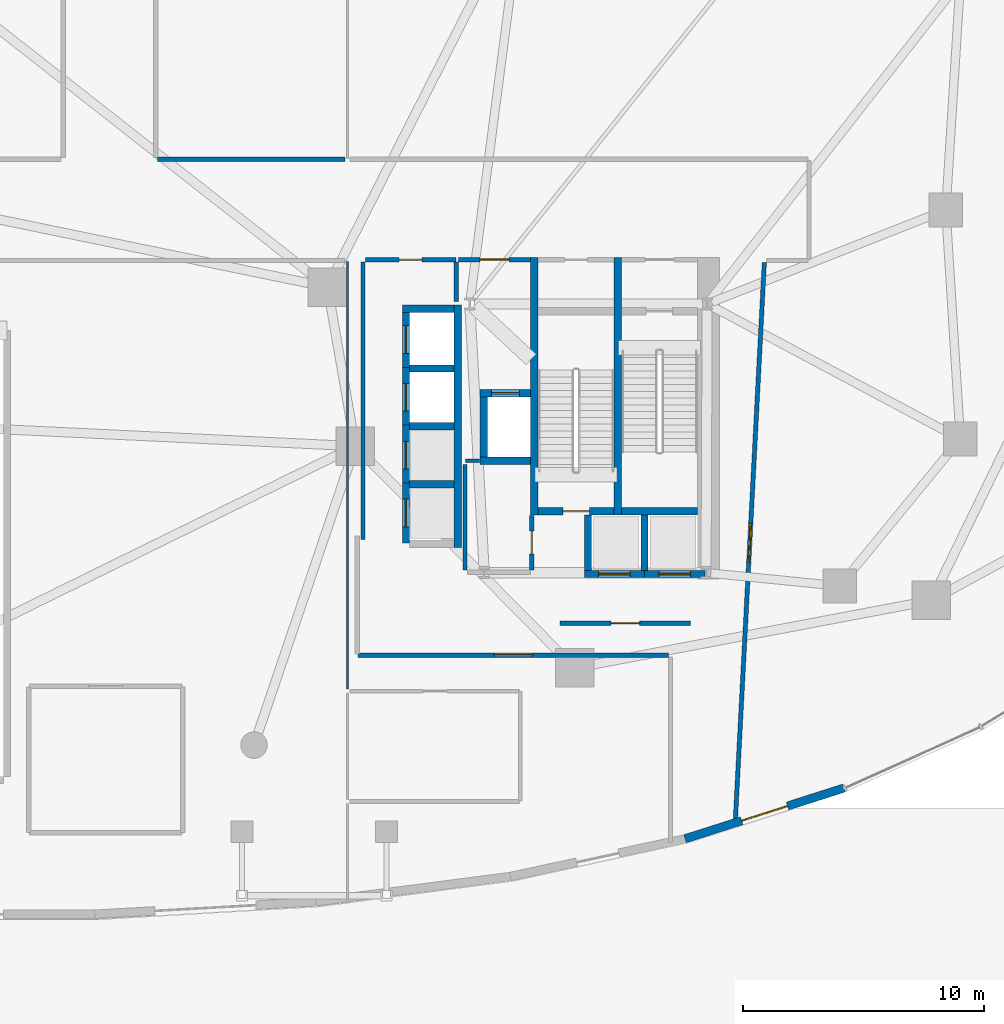
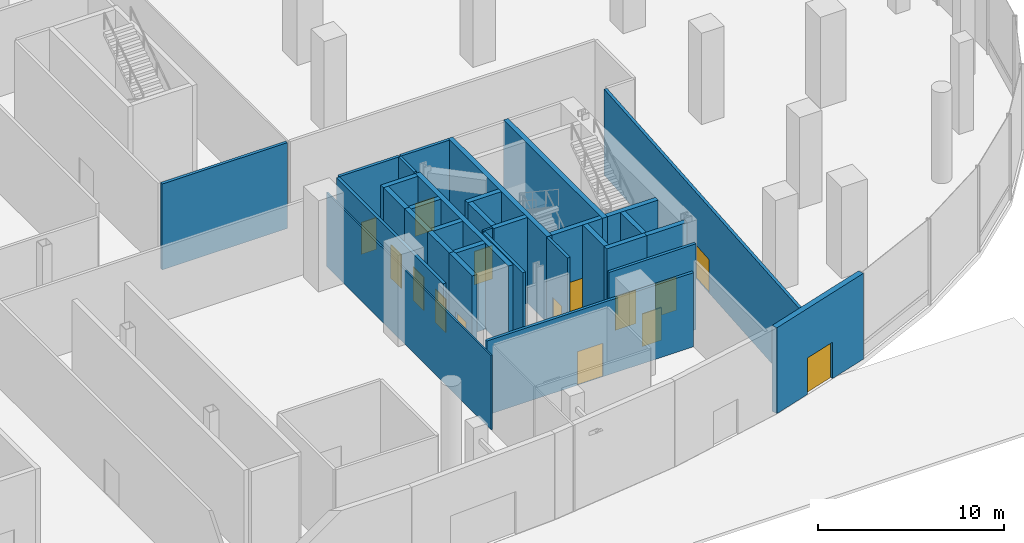
# One storey, part 15 of 20: 33 walls, 15 doors, 15 openings.
"""IFC4 building model written with IfcOpenShell, lengths in metres."""

import ifcopenshell
import ifcopenshell.guid

model = None  # the IFC model being written
_history = None  # IfcOwnerHistory: only IFC2X3 demands one
_inside = {}  # id of a spatial element -> (the spatial element, [elements in it])
_under = {}  # id of a project, library or spatial element -> (it, [spatial elements below it])
_declared = {}  # id of a project -> (the project, [libraries it declares])
_typed = {}  # id of a type object -> (the type object, [elements of that type])
_made_of = {}  # id of a material, layer set ... -> (it, [elements and type objects made of it])


def new_model(schema):
    """Start an empty IFC model of exactly this schema.

    Asked for "IFC4X3", IfcOpenShell would pick the latest addendum, in which some entities
    have other attributes; the version numbers below select the first issue.
    IFC2X3 requires an IfcOwnerHistory on every rooted entity: one is made here for all.
    """
    global model, _history
    if schema == "IFC4X3":
        model = ifcopenshell.file(schema_version=(4, 3, 0, 0))
    else:
        model = ifcopenshell.file(schema=schema)
    _inside.clear()
    _under.clear()
    _declared.clear()
    _typed.clear()
    _made_of.clear()
    _history = None
    if model.schema == "IFC2X3":
        org = make("IfcOrganization", Name="unknown")
        user = make(
            "IfcPersonAndOrganization",
            ThePerson=make("IfcPerson", FamilyName="unknown"),
            TheOrganization=org,
        )
        app = make(
            "IfcApplication",
            ApplicationDeveloper=org,
            Version="unknown",
            ApplicationFullName="unknown",
            ApplicationIdentifier="unknown",
        )
        _history = make(
            "IfcOwnerHistory",
            OwningUser=user,
            OwningApplication=app,
            ChangeAction="ADDED",
            CreationDate=0,
        )
    return model


def make(cls, **values):
    """One entity of the class cls with the attributes given. An attribute that is None is left unset."""
    return model.create_entity(
        cls, **{name: value for name, value in values.items() if value is not None}
    )


def rooted(cls, **values):
    """An entity with a GlobalId (a new one), such as an element, a storey or a relation."""
    return make(cls, GlobalId=ifcopenshell.guid.new(), OwnerHistory=_history, **values)


def si_unit(unit_type, name, prefix=None):
    """IfcSIUnit, for example si_unit("LENGTHUNIT", "METRE", prefix="MILLI")."""
    return make("IfcSIUnit", UnitType=unit_type, Prefix=prefix, Name=name)


def assignment(units):
    """IfcUnitAssignment: the units of a project."""
    return None if units is None else make("IfcUnitAssignment", Units=units)


def point(xyz):
    """IfcCartesianPoint."""
    return None if xyz is None else make("IfcCartesianPoint", Coordinates=xyz)


def direction(xyz):
    """IfcDirection."""
    return None if xyz is None else make("IfcDirection", DirectionRatios=xyz)


def frame(location, z_axis=None, x_axis=None):
    """IfcAxis2Placement3D, a coordinate frame: its origin and axes. An axis left out is left unset."""
    return make(
        "IfcAxis2Placement3D",
        Location=point(location),
        Axis=direction(z_axis),
        RefDirection=direction(x_axis),
    )


def frame_2d(location, x_axis=None):
    """IfcAxis2Placement2D, a coordinate frame in the plane: its origin and x axis."""
    return make(
        "IfcAxis2Placement2D", Location=point(location), RefDirection=direction(x_axis)
    )


def origin():
    """The frame at (0, 0, 0) with its axes left unset."""
    return frame((0.0, 0.0, 0.0))


def place(relative_to, where):
    """IfcLocalPlacement: puts the frame where relative to a parent placement (None: the world)."""
    return make(
        "IfcLocalPlacement", PlacementRelTo=relative_to, RelativePlacement=where
    )


def context(
    kind, dimensions, precision=None, world=None, true_north=None, identifier=None
):
    """IfcGeometricRepresentationContext, for example the 3D "Model" context."""
    return make(
        "IfcGeometricRepresentationContext",
        ContextIdentifier=identifier,
        ContextType=kind,
        CoordinateSpaceDimension=dimensions,
        Precision=precision,
        WorldCoordinateSystem=world,
        TrueNorth=true_north,
    )


def subcontext(parent, identifier, kind, view, scale=None):
    """IfcGeometricRepresentationSubContext, for example "Body" below "Model"."""
    return make(
        "IfcGeometricRepresentationSubContext",
        ContextIdentifier=identifier,
        ContextType=kind,
        ParentContext=parent,
        TargetScale=scale,
        TargetView=view,
    )


def project(units=None, contexts=None):
    """IfcProject with its units and contexts."""
    return rooted(
        "IfcProject",
        Name="project",
        RepresentationContexts=contexts,
        UnitsInContext=assignment(units),
    )


def spatial(cls, under=None, at=None, **own):
    """A site, building, storey or space (cls), placed at a placement, below another one or the project."""
    s = rooted(cls, ObjectPlacement=at, **own)
    if under is not None:
        _under.setdefault(under.id(), (under, []))[1].append(s)
    return s


def profile(cls, at=None, kind="AREA", **sizes):
    """A parametric profile (cls). Its sizes go by their IFC names, for example OverallWidth=200.0."""
    return make(cls, ProfileType=kind, Position=at, **sizes)


def rectangle(**sizes):
    """IfcRectangleProfileDef."""
    return profile("IfcRectangleProfileDef", **sizes)


def extrude(swept, where, along, depth):
    """IfcExtrudedAreaSolid: the profile swept, set in the frame where, extruded along a direction by depth."""
    return make(
        "IfcExtrudedAreaSolid",
        SweptArea=swept,
        Position=where,
        ExtrudedDirection=direction(along),
        Depth=depth,
    )


def shape(context_of_items, identifier, shape_type, items):
    """IfcShapeRepresentation: the items that make up one representation, for example the "Body"."""
    return make(
        "IfcShapeRepresentation",
        ContextOfItems=context_of_items,
        RepresentationIdentifier=identifier,
        RepresentationType=shape_type,
        Items=items,
    )


def material(Name=None, Category=None):
    """IfcMaterial."""
    return make("IfcMaterial", Name=Name, Category=Category)


def layer(
    of_material, thickness, ventilated=None, Name=None, Category=None, Priority=None
):
    """IfcMaterialLayer: one layer of a wall or slab, of a material (None: an air gap)."""
    return make(
        "IfcMaterialLayer",
        Material=of_material,
        LayerThickness=thickness,
        IsVentilated=ventilated,
        Name=Name,
        Category=Category,
        Priority=Priority,
    )


def layer_set(layers, Name=None):
    """IfcMaterialLayerSet."""
    return make("IfcMaterialLayerSet", MaterialLayers=layers, LayerSetName=Name)


def made_of(thing, what):
    """Note that an element or type object is made of a material, layer set ...; save() writes the relation."""
    if what is not None:
        _made_of.setdefault(what.id(), (what, []))[1].append(thing)
    return thing


def type_object(cls, material=None, **own):
    """A type object (cls), such as IfcWallType, which elements share."""
    return made_of(rooted(cls, **own), material)


def element(
    cls,
    number,
    at=None,
    inside=None,
    cuts=None,
    type_object=None,
    material=None,
    context=None,
    identifier="Body",
    shape_type=None,
    held_by="IfcProductDefinitionShape",
    body=None,
    shapes=None,
    **own,
):
    """One element of the class cls, such as IfcWall. Its Tag is "e" and its number.

    at: its placement. inside: the storey or other place that contains it. cuts: it is an
    opening in that element (IfcRelVoidsElement). A single representation is given by context,
    identifier, shape_type and body (its items); several are given by shapes. held_by: the class
    of the entity that holds the representations. save() writes the other relations.
    """
    e = rooted(cls, Tag="e%d" % number, ObjectPlacement=at, **own)
    if body is not None:
        shapes = [shape(context, identifier, shape_type, body)]
    if shapes is not None:
        e.Representation = make(held_by, Representations=shapes)
    if inside is not None:
        _inside.setdefault(inside.id(), (inside, []))[1].append(e)
    if cuts is not None:
        rooted(
            "IfcRelVoidsElement", RelatingBuildingElement=cuts, RelatedOpeningElement=e
        )
    if type_object is not None:
        _typed.setdefault(type_object.id(), (type_object, []))[1].append(e)
    return made_of(e, material)


def fill(opening, filler):
    """IfcRelFillsElement: the door or window that sits in an opening."""
    return rooted(
        "IfcRelFillsElement",
        RelatingOpeningElement=opening,
        RelatedBuildingElement=filler,
    )


def aggregate(whole, parts):
    """IfcRelAggregates: a whole, such as a stair, and the parts it consists of."""
    return rooted("IfcRelAggregates", RelatingObject=whole, RelatedObjects=parts)


def save(model, path):
    """Write the relations noted so far, then the file.

    IfcRelAggregates (storeys below a building ...), IfcRelContainedInSpatialStructure (elements
    in a storey), IfcRelDefinesByType, IfcRelAssociatesMaterial and IfcRelDeclares: one each for
    every whole, place, type object, material and project.
    """
    for whole, parts in _under.values():
        aggregate(whole, parts)
    for where, things in _inside.values():
        rooted(
            "IfcRelContainedInSpatialStructure",
            RelatedElements=things,
            RelatingStructure=where,
        )
    for kind, things in _typed.values():
        rooted("IfcRelDefinesByType", RelatedObjects=things, RelatingType=kind)
    for what, things in _made_of.values():
        rooted("IfcRelAssociatesMaterial", RelatedObjects=things, RelatingMaterial=what)
    for by, libraries in _declared.values():
        rooted("IfcRelDeclares", RelatingContext=by, RelatedDefinitions=libraries)
    model.write(path)


model = new_model("IFC4")

# Units and contexts
model_context = context("Model", 3, precision=1e-05, world=origin(), true_north=direction((0.0, 1.0)))
body_context = subcontext(model_context, "Body", "Model", "MODEL_VIEW")
ifc_project = project(units=[si_unit("LENGTHUNIT", "METRE"), si_unit("AREAUNIT", "SQUARE_METRE"), si_unit("VOLUMEUNIT", "CUBIC_METRE"), si_unit("PLANEANGLEUNIT", "RADIAN"), si_unit("MASSUNIT", "GRAM", prefix="KILO"), si_unit("THERMODYNAMICTEMPERATUREUNIT", "KELVIN"), si_unit("POWERUNIT", "WATT")], contexts=[model_context])

# Site, building, storey
site_placement = place(None, origin())
site = spatial("IfcSite", under=ifc_project, at=site_placement, CompositionType="ELEMENT")
building_placement = place(site_placement, origin())
building = spatial("IfcBuilding", under=site, at=building_placement, Name="Cundina Bronze Exchange", CompositionType="ELEMENT")
storey_placement = place(building_placement, origin())
storey = spatial("IfcBuildingStorey", under=building, at=storey_placement, Name="L00", CompositionType="ELEMENT", Elevation=0.0)

# Wall
ifc_material_1 = material(Name="Gypsum Fireboard Partition EI120")
ifc_layer_1 = layer(ifc_material_1, 0.179931640625, Name="Gypsum Fireboard Partition EI120")
ifc_layer_set_1 = layer_set([ifc_layer_1], Name="Gypsum Fireboard Partition EI120")
wall_type_1 = type_object("IfcWallType", Name="WL-COR-180", PredefinedType="PARTITIONING", material=ifc_layer_set_1)
wall_1_placement = place(storey_placement, frame((20.889892578125, -3.800048828125, 0.0), z_axis=(0.0, 0.0, 1.0), x_axis=(0.0, 1.0, 0.0)))
element("IfcWall", 1, at=wall_1_placement, inside=storey, type_object=wall_type_1, Name="L00 E Firefighting Lobby Side Wall", PredefinedType="PARTITIONING", context=body_context, shape_type="SweptSolid", body=[
    extrude(rectangle(XDim=1.650146484375, YDim=0.179931640625, at=frame_2d((0.8251953125, 0.0))), origin(), (0.0, 0.0, 1.0), 5.64990234375),
])

# Wall, opening, door
wall_2_placement = place(storey_placement, frame((20.97998046875, -2.06005859375, 0.0), z_axis=(0.0, 0.0, 1.0), x_axis=(1.0, 0.0, 0.0)))
wall_2 = element("IfcWall", 2, at=wall_2_placement, inside=storey, type_object=wall_type_1, Name="L00 E Firefighting Lobby Exit Wall", PredefinedType="PARTITIONING", context=body_context, shape_type="SweptSolid", body=[
    extrude(rectangle(XDim=3.0, YDim=0.179931640625, at=frame_2d((1.5, 0.0))), origin(), (0.0, 0.0, 1.0), 5.64990234375),
])
opening_1_placement = place(wall_2_placement, frame((0.89990234375, 0.0, 0.0)))
opening_1 = element("IfcOpeningElement", 3, at=opening_1_placement, cuts=wall_2, Name="Opening DF-01", PredefinedType="OPENING", context=body_context, shape_type="SweptSolid", body=[
    extrude(rectangle(XDim=1.199951171875, YDim=2.14990234375, at=frame_2d((0.60009765625, 1.074951171875))), frame((0.0, 0.099853515625, 0.0), z_axis=(0.0, -1.0, 0.0), x_axis=(1.0, 0.0, 0.0)), (0.0, 0.0, 1.0), 0.199951171875),
])
ifc_material_2 = material(Name="Steel ASTM A36 Painted", Category="steel")
door_type_1 = type_object("IfcDoorType", Name="DR-FFL-1200", OperationType="NOTDEFINED", PredefinedType="DOOR", material=ifc_material_2)
door_1_placement = place(opening_1_placement, origin())
door_1 = element("IfcDoor", 4, at=door_1_placement, inside=storey, type_object=door_type_1, Name="L00 E Firefighting Lobby Door", OperationType="SINGLE_SWING_LEFT", OverallHeight=2.14990234375, OverallWidth=1.199951171875, PredefinedType="DOOR", context=body_context, shape_type="SweptSolid", body=[
    extrude(rectangle(XDim=1.199951171875, YDim=2.14990234375, at=frame_2d((0.60009765625, 1.074951171875))), frame((0.0, 0.02490234375, 0.0), z_axis=(0.0, -1.0, 0.0), x_axis=(1.0, 0.0, 0.0)), (0.0, 0.0, 1.0), 0.050048828125),
])
fill(opening_1, door_1)

wall_3_placement = place(storey_placement, frame((25.199951171875, -17.139892578125, 0.0), z_axis=(0.0, 0.0, 1.0), x_axis=(1.0, 0.0, 0.0)))
wall_3 = element("IfcWall", 5, at=wall_3_placement, inside=storey, type_object=wall_type_1, Name="L00 E Stair 2 Protected Vestibule Exit Wall", PredefinedType="PARTITIONING", context=body_context, shape_type="SweptSolid", body=[
    extrude(rectangle(XDim=5.400146484375, YDim=0.179931640625, at=frame_2d((2.7001953125, 0.0))), origin(), (0.0, 0.0, 1.0), 5.64990234375),
])
opening_2_placement = place(wall_3_placement, frame((2.10009765625, 0.0, 0.0)))
opening_2 = element("IfcOpeningElement", 6, at=opening_2_placement, cuts=wall_3, Name="Opening DF-01", PredefinedType="OPENING", context=body_context, shape_type="SweptSolid", body=[
    extrude(rectangle(XDim=1.199951171875, YDim=2.14990234375, at=frame_2d((0.60009765625, 1.074951171875))), frame((0.0, 0.099853515625, 0.0), z_axis=(0.0, -1.0, 0.0), x_axis=(1.0, 0.0, 0.0)), (0.0, 0.0, 1.0), 0.199951171875),
])
door_2_placement = place(opening_2_placement, origin())
door_2 = element("IfcDoor", 7, at=door_2_placement, inside=storey, type_object=door_type_1, Name="L00 E Stair 2 Vestibule Exit Door", OperationType="SINGLE_SWING_RIGHT", OverallHeight=2.14990234375, OverallWidth=1.199951171875, PredefinedType="DOOR", context=body_context, shape_type="SweptSolid", body=[
    extrude(rectangle(XDim=1.199951171875, YDim=2.14990234375, at=frame_2d((0.60009765625, 1.074951171875))), frame((0.0, 0.02490234375, 0.0), z_axis=(0.0, -1.0, 0.0), x_axis=(1.0, 0.0, 0.0)), (0.0, 0.0, 1.0), 0.050048828125),
])
fill(opening_2, door_2)

# Wall
wall_4_placement = place(storey_placement, frame((17.02001953125, -13.679931640625, 0.0), z_axis=(0.0, 0.0, 1.0), x_axis=(0.0, 1.0, 0.0)))
element("IfcWall", 8, at=wall_4_placement, inside=storey, type_object=wall_type_1, Name="L00 Interior Partition 008", PredefinedType="PARTITIONING", context=body_context, shape_type="SweptSolid", body=[
    extrude(rectangle(XDim=11.510009765625, YDim=0.179931640625, at=frame_2d((5.7548828125, 0.0))), origin(), (0.0, 0.0, 1.0), 5.64990234375),
])

# Wall, opening, door
wall_5_placement = place(storey_placement, frame((17.1201171875, -2.070068359375, 0.0), z_axis=(0.0, 0.0, 1.0), x_axis=(1.0, 0.0, 0.0)))
wall_5 = element("IfcWall", 9, at=wall_5_placement, inside=storey, type_object=wall_type_1, Name="L00 Interior Partition 009", PredefinedType="PARTITIONING", context=body_context, shape_type="SweptSolid", body=[
    extrude(rectangle(XDim=3.75, YDim=0.179931640625, at=frame_2d((1.875, 0.0))), origin(), (0.0, 0.0, 1.0), 5.64990234375),
])
opening_3_placement = place(wall_5_placement, frame((1.39990234375, 0.0, 0.0)))
opening_3 = element("IfcOpeningElement", 10, at=opening_3_placement, cuts=wall_5, Name="Opening DW-01", PredefinedType="OPENING", context=body_context, shape_type="SweptSolid", body=[
    extrude(rectangle(XDim=0.949951171875, YDim=2.10009765625, at=frame_2d((0.47509765625, 1.050048828125))), frame((0.0, 0.099853515625, 0.0), z_axis=(0.0, -1.0, 0.0), x_axis=(1.0, 0.0, 0.0)), (0.0, 0.0, 1.0), 0.199951171875),
])
ifc_material_3 = material(Name="Solid Andean Oak Timber Grade A", Category="wood")
door_type_2 = type_object("IfcDoorType", Name="DR-WC-950", OperationType="NOTDEFINED", PredefinedType="DOOR", material=ifc_material_3)
door_3_placement = place(opening_3_placement, origin())
door_3 = element("IfcDoor", 11, at=door_3_placement, inside=storey, type_object=door_type_2, Name="L00 Interior Door 009", OperationType="SINGLE_SWING_RIGHT", OverallHeight=2.10009765625, OverallWidth=0.949951171875, PredefinedType="DOOR", context=body_context, shape_type="SweptSolid", body=[
    extrude(rectangle(XDim=0.949951171875, YDim=2.10009765625, at=frame_2d((0.47509765625, 1.050048828125))), frame((0.0, 0.02490234375, 0.0), z_axis=(0.0, -1.0, 0.0), x_axis=(1.0, 0.0, 0.0)), (0.0, 0.0, 1.0), 0.050048828125),
])
fill(opening_3, door_3)

# Wall
wall_6_placement = place(storey_placement, frame((21.25, -14.929931640625, 0.0), z_axis=(0.0, 0.0, 1.0), x_axis=(0.0, 1.0, 0.0)))
element("IfcWall", 12, at=wall_6_placement, inside=storey, type_object=wall_type_1, Name="L00 Interior Partition 011", PredefinedType="PARTITIONING", context=body_context, shape_type="SweptSolid", body=[
    extrude(rectangle(XDim=4.35986328125, YDim=0.179931640625, at=frame_2d((2.179931640625, 0.0))), origin(), (0.0, 0.0, 1.0), 5.64990234375),
])

# Wall, opening, door
wall_7_placement = place(storey_placement, frame((24.02001953125, -14.929931640625, 0.0), z_axis=(0.0, 0.0, 1.0), x_axis=(0.0, 1.0, 0.0)))
wall_7 = element("IfcWall", 13, at=wall_7_placement, inside=storey, type_object=wall_type_1, Name="L00 Interior Partition 014", PredefinedType="PARTITIONING", context=body_context, shape_type="SweptSolid", body=[
    extrude(rectangle(XDim=2.260009765625, YDim=0.179931640625, at=frame_2d((1.1298828125, 0.0))), origin(), (0.0, 0.0, 1.0), 5.64990234375),
])
opening_4_placement = place(wall_7_placement, frame((0.655029296875, 0.0, 0.0)))
opening_4 = element("IfcOpeningElement", 14, at=opening_4_placement, cuts=wall_7, Name="Opening DW-01", PredefinedType="OPENING", context=body_context, shape_type="SweptSolid", body=[
    extrude(rectangle(XDim=0.949951171875, YDim=2.10009765625, at=frame_2d((0.47509765625, 1.050048828125))), frame((0.0, 0.099853515625, 0.0), z_axis=(0.0, -1.0, 0.0), x_axis=(1.0, 0.0, 0.0)), (0.0, 0.0, 1.0), 0.199951171875),
])
door_4_placement = place(opening_4_placement, origin())
door_4 = element("IfcDoor", 15, at=door_4_placement, inside=storey, type_object=door_type_2, Name="L00 Interior Door 014", OperationType="SINGLE_SWING_RIGHT", OverallHeight=2.10009765625, OverallWidth=0.949951171875, PredefinedType="DOOR", context=body_context, shape_type="SweptSolid", body=[
    extrude(rectangle(XDim=0.949951171875, YDim=2.10009765625, at=frame_2d((0.47509765625, 1.050048828125))), frame((0.0, 0.02490234375, 0.0), z_axis=(0.0, -1.0, 0.0), x_axis=(1.0, 0.0, 0.0)), (0.0, 0.0, 1.0), 0.050048828125),
])
fill(opening_4, door_4)

# Wall
wall_8_placement = place(storey_placement, frame((16.280029296875, 2.10009765625, 0.0), z_axis=(0.0, 0.0, 1.0), x_axis=(-1.0, 0.0, 0.0)))
element("IfcWall", 16, at=wall_8_placement, inside=storey, type_object=wall_type_1, Name="L00 Interior Partition 035", PredefinedType="PARTITIONING", context=body_context, shape_type="SweptSolid", body=[
    extrude(rectangle(XDim=7.780029296875, YDim=0.179931640625, at=frame_2d((3.89013671875, 0.0))), origin(), (0.0, 0.0, 1.0), 5.64990234375),
])

# Wall, opening, door
wall_9_placement = place(storey_placement, frame((32.4619140625, -25.42529296875, 0.0), z_axis=(0.0, 0.0, 1.0), x_axis=(0.051897662256, 0.998652408325, 0.0)))
wall_9 = element("IfcWall", 17, at=wall_9_placement, inside=storey, type_object=wall_type_1, Name="L00 Interior Partition 049", PredefinedType="PARTITIONING", context=body_context, shape_type="SweptSolid", body=[
    extrude(rectangle(XDim=23.276611328125, YDim=0.179931640625, at=frame_2d((11.63818359375, 0.0))), origin(), (0.0, 0.0, 1.0), 5.64990234375),
])
opening_5_placement = place(wall_9_placement, frame((10.83837890625, 0.0, 0.0)))
opening_5 = element("IfcOpeningElement", 18, at=opening_5_placement, cuts=wall_9, Name="Opening DO-02", PredefinedType="OPENING", context=body_context, shape_type="SweptSolid", body=[
    extrude(rectangle(XDim=1.60009765625, YDim=2.199951171875, at=frame_2d((0.800048828125, 1.10009765625))), frame((0.0, 0.099853515625, 0.0), z_axis=(0.0, -1.0, 0.0), x_axis=(1.0, 0.0, 0.0)), (0.0, 0.0, 1.0), 0.199951171875),
])
door_type_3 = type_object("IfcDoorType", Name="DR-TRD-1600", OperationType="NOTDEFINED", PredefinedType="DOOR", material=ifc_material_3)
door_5_placement = place(opening_5_placement, origin())
door_5 = element("IfcDoor", 19, at=door_5_placement, inside=storey, type_object=door_type_3, Name="L00 Interior Door 049", OperationType="SINGLE_SWING_LEFT", OverallHeight=2.199951171875, OverallWidth=1.60009765625, PredefinedType="DOOR", context=body_context, shape_type="SweptSolid", body=[
    extrude(rectangle(XDim=1.60009765625, YDim=2.199951171875, at=frame_2d((0.800048828125, 1.10009765625))), frame((0.0, 0.02490234375, 0.0), z_axis=(0.0, -1.0, 0.0), x_axis=(1.0, 0.0, 0.0)), (0.0, 0.0, 1.0), 0.050048828125),
])
fill(opening_5, door_5)

wall_10_placement = place(storey_placement, frame((16.821533203125, -18.469970703125, 0.0), z_axis=(0.0, 0.0, 1.0), x_axis=(1.0, 0.0, 0.0)))
wall_10 = element("IfcWall", 20, at=wall_10_placement, inside=storey, type_object=wall_type_1, Name="L00 Interior Partition 053", PredefinedType="PARTITIONING", context=body_context, shape_type="SweptSolid", body=[
    extrude(rectangle(XDim=12.87841796875, YDim=0.179931640625, at=frame_2d((6.439208984375, 0.0))), origin(), (0.0, 0.0, 1.0), 4.876953125),
])
opening_6_placement = place(wall_10_placement, frame((5.63916015625, 0.0, 0.0)))
opening_6 = element("IfcOpeningElement", 21, at=opening_6_placement, cuts=wall_10, Name="Opening DO-02", PredefinedType="OPENING", context=body_context, shape_type="SweptSolid", body=[
    extrude(rectangle(XDim=1.60009765625, YDim=2.199951171875, at=frame_2d((0.800048828125, 1.10009765625))), frame((0.0, 0.099853515625, 0.0), z_axis=(0.0, -1.0, 0.0), x_axis=(1.0, 0.0, 0.0)), (0.0, 0.0, 1.0), 0.199951171875),
])
door_6_placement = place(opening_6_placement, origin())
door_6 = element("IfcDoor", 22, at=door_6_placement, inside=storey, type_object=door_type_3, Name="L00 Interior Door 053", OperationType="SINGLE_SWING_RIGHT", OverallHeight=2.199951171875, OverallWidth=1.60009765625, PredefinedType="DOOR", context=body_context, shape_type="SweptSolid", body=[
    extrude(rectangle(XDim=1.60009765625, YDim=2.199951171875, at=frame_2d((0.800048828125, 1.10009765625))), frame((0.0, 0.02490234375, 0.0), z_axis=(0.0, -1.0, 0.0), x_axis=(1.0, 0.0, 0.0)), (0.0, 0.0, 1.0), 0.050048828125),
])
fill(opening_6, door_6)

ifc_material_4 = material(Name="Concrete C40/50", Category="concrete")
ifc_layer_2 = layer(ifc_material_4, 0.35009765625, Name="Concrete C40/50", Category="concrete")
ifc_layer_set_2 = layer_set([ifc_layer_2], Name="Concrete C40/50")
wall_type_2 = type_object("IfcWallType", Name="WL-EXT-350", PredefinedType="SOLIDWALL", material=ifc_layer_set_2)
wall_11_placement = place(storey_placement, frame((36.982421875, -23.9794921875, 0.0), z_axis=(0.0, 0.0, 1.0), x_axis=(-0.952587993211, -0.304263233385, 0.0)))
wall_11 = element("IfcWall", 23, at=wall_11_placement, inside=storey, type_object=wall_type_2, Name="L00 Podium Exterior Wall 36", PredefinedType="SOLIDWALL", context=body_context, shape_type="SweptSolid", body=[
    extrude(rectangle(XDim=6.931884765625, YDim=0.35009765625, at=frame_2d((3.4658203125, 0.0))), origin(), (0.0, 0.0, 1.0), 5.64990234375),
])
opening_7_placement = place(wall_11_placement, frame((2.466064453125, 0.0, 0.0)))
opening_7 = element("IfcOpeningElement", 24, at=opening_7_placement, cuts=wall_11, Name="Opening DE-01", PredefinedType="OPENING", context=body_context, shape_type="SweptSolid", body=[
    extrude(rectangle(XDim=2.0, YDim=2.39990234375, at=frame_2d((1.0, 1.199951171875))), frame((0.0, 0.18505859375, 0.0), z_axis=(0.0, -1.0, 0.0), x_axis=(1.0, 0.0, 0.0)), (0.0, 0.0, 1.0), 0.3701171875),
])
ifc_material_5 = material(Name="Anodised Bronze Aluminium 6063-T6", Category="aluminium")
door_type_4 = type_object("IfcDoorType", Name="DR-EXT-2000", OperationType="NOTDEFINED", PredefinedType="DOOR", material=ifc_material_5)
door_7_placement = place(opening_7_placement, origin())
door_7 = element("IfcDoor", 25, at=door_7_placement, inside=storey, type_object=door_type_4, Name="L00 Concourse Street Exit Door EX-36", OperationType="DOUBLE_DOOR_SINGLE_SWING", OverallHeight=2.39990234375, OverallWidth=2.0, PredefinedType="DOOR", context=body_context, shape_type="SweptSolid", body=[
    extrude(rectangle(XDim=2.0, YDim=2.39990234375, at=frame_2d((1.0, 1.199951171875))), frame((0.0, 0.02490234375, 0.0), z_axis=(0.0, -1.0, 0.0), x_axis=(1.0, 0.0, 0.0)), (0.0, 0.0, 1.0), 0.050048828125),
])
fill(opening_7, door_7)

# Walls
ifc_material_6 = material(Name="Clear Low-E Insulating Glass 26mm", Category="glass")
ifc_layer_3 = layer(ifc_material_6, 0.10009765625, Name="Clear Low-E Insulating Glass 26mm", Category="glass")
ifc_layer_set_3 = layer_set([ifc_layer_3], Name="Clear Low-E Insulating Glass 26mm")
wall_type_3 = type_object("IfcWallType", Name="WL-GLZ-100", PredefinedType="PARTITIONING", material=ifc_layer_set_3)
wall_12_placement = place(storey_placement, frame((16.3798828125, -19.875, 0.0), z_axis=(0.0, 0.0, 1.0), x_axis=(0.0, 1.0, 0.0)))
element("IfcWall", 26, at=wall_12_placement, inside=storey, type_object=wall_type_3, Name="L00 Interior Partition 062", PredefinedType="PARTITIONING", context=body_context, shape_type="SweptSolid", body=[
    extrude(rectangle(XDim=17.7451171875, YDim=0.10009765625, at=frame_2d((8.87255859375, 0.0))), origin(), (0.0, 0.0, 1.0), 4.876953125),
])
ifc_material_7 = material(Name="Concrete C50/60", Category="concrete")
ifc_layer_4 = layer(ifc_material_7, 0.300048828125, Name="Concrete C50/60", Category="concrete")
ifc_layer_set_4 = layer_set([ifc_layer_4], Name="Concrete C50/60")
wall_type_4 = type_object("IfcWallType", Name="WL-SHFT-300", PredefinedType="SHEAR", material=ifc_layer_set_4)
for number, where, z_axis, x_axis, name in (
    (27, (27.590087890625, -12.64990234375, 0.0), (0.0, 0.0, 1.0), (0.0, 1.0, 0.0), "L00 E Stair Shaft Dividing Shear Wall"),
    (28, (24.1298828125, -12.64990234375, 0.0), (0.0, 0.0, 1.0), (0.0, 1.0, 0.0), "L00 E Stair 2 East Shear Wall"),
):
    element("IfcWall", number, at=place(storey_placement, frame(where, z_axis=z_axis, x_axis=x_axis)), inside=storey, type_object=wall_type_4, Name=name, PredefinedType="SHEAR", context=body_context, shape_type="SweptSolid", body=[
        extrude(rectangle(XDim=10.679931640625, YDim=0.300048828125, at=frame_2d((5.33984375, 0.0))), origin(), (0.0, 0.0, 1.0), 5.64990234375),
    ])
wall_13_placement = place(storey_placement, frame((27.739990234375, -12.5, 0.0), z_axis=(0.0, 0.0, 1.0), x_axis=(1.0, 0.0, 0.0)))
element("IfcWall", 29, at=wall_13_placement, inside=storey, type_object=wall_type_4, Name="L00 Stair E1 Far Shaft Wall", PredefinedType="SHEAR", context=body_context, shape_type="SweptSolid", body=[
    extrude(rectangle(XDim=3.159912109375, YDim=0.300048828125, at=frame_2d((1.580078125, 0.0))), origin(), (0.0, 0.0, 1.0), 5.64990234375),
])

# Wall, opening, door
wall_14_placement = place(storey_placement, frame((24.280029296875, -12.5, 0.0), z_axis=(0.0, 0.0, 1.0), x_axis=(1.0, 0.0, 0.0)))
wall_14 = element("IfcWall", 30, at=wall_14_placement, inside=storey, type_object=wall_type_4, Name="L00 Stair E2 Landing Wall", PredefinedType="SHEAR", context=body_context, shape_type="SweptSolid", body=[
    extrude(rectangle(XDim=3.159912109375, YDim=0.300048828125, at=frame_2d((1.580078125, 0.0))), origin(), (0.0, 0.0, 1.0), 5.64990234375),
])
opening_8_placement = place(wall_14_placement, frame((1.030029296875, 0.0, 0.0)))
opening_8 = element("IfcOpeningElement", 31, at=opening_8_placement, cuts=wall_14, Name="Opening DS-01", PredefinedType="OPENING", context=body_context, shape_type="SweptSolid", body=[
    extrude(rectangle(XDim=1.10009765625, YDim=2.14990234375, at=frame_2d((0.550048828125, 1.074951171875))), frame((0.0, 0.159912109375, 0.0), z_axis=(0.0, -1.0, 0.0), x_axis=(1.0, 0.0, 0.0)), (0.0, 0.0, 1.0), 0.320068359375),
])
door_type_5 = type_object("IfcDoorType", Name="DR-STR-1100", OperationType="NOTDEFINED", PredefinedType="DOOR", material=ifc_material_2)
door_8_placement = place(opening_8_placement, origin())
door_8 = element("IfcDoor", 32, at=door_8_placement, inside=storey, type_object=door_type_5, Name="L00 Smokeproof Stair E2 Door", OperationType="SINGLE_SWING_RIGHT", OverallHeight=2.14990234375, OverallWidth=1.10009765625, PredefinedType="DOOR", context=body_context, shape_type="SweptSolid", body=[
    extrude(rectangle(XDim=1.10009765625, YDim=2.14990234375, at=frame_2d((0.550048828125, 1.074951171875))), frame((0.0, 0.02490234375, 0.0), z_axis=(0.0, -1.0, 0.0), x_axis=(1.0, 0.0, 0.0)), (0.0, 0.0, 1.0), 0.050048828125),
])
fill(opening_8, door_8)

wall_15_placement = place(storey_placement, frame((21.8798828125, -7.60009765625, 0.0), z_axis=(0.0, 0.0, 1.0), x_axis=(1.0, 0.0, 0.0)))
wall_15 = element("IfcWall", 33, at=wall_15_placement, inside=storey, type_object=wall_type_4, Name="L00 FFL-E Hoistway Front Wall", PredefinedType="SHEAR", context=body_context, shape_type="SweptSolid", body=[
    extrude(rectangle(XDim=2.10009765625, YDim=0.300048828125, at=frame_2d((1.050048828125, 0.0))), origin(), (0.0, 0.0, 1.0), 5.64990234375),
])
opening_9_placement = place(wall_15_placement, frame((0.47509765625, 0.0, 0.0)))
opening_9 = element("IfcOpeningElement", 34, at=opening_9_placement, cuts=wall_15, Name="Opening LD-01", PredefinedType="OPENING", context=body_context, shape_type="SweptSolid", body=[
    extrude(rectangle(XDim=1.14990234375, YDim=2.199951171875, at=frame_2d((0.574951171875, 1.10009765625))), frame((0.0, 0.159912109375, 0.0), z_axis=(0.0, -1.0, 0.0), x_axis=(1.0, 0.0, 0.0)), (0.0, 0.0, 1.0), 0.320068359375),
])
door_type_6 = type_object("IfcDoorType", Name="DR-LND-1150", OperationType="NOTDEFINED", PredefinedType="TRAPDOOR", material=ifc_material_2)
door_9_placement = place(opening_9_placement, origin())
door_9 = element("IfcDoor", 35, at=door_9_placement, inside=storey, type_object=door_type_6, Name="L00 FFL-E Sliding Landing Door", OperationType="SLIDING_TO_LEFT", OverallHeight=2.199951171875, OverallWidth=1.14990234375, PredefinedType="TRAPDOOR", context=body_context, shape_type="SweptSolid", body=[
    extrude(rectangle(XDim=1.14990234375, YDim=2.199951171875, at=frame_2d((0.574951171875, 1.10009765625))), frame((0.0, 0.02490234375, 0.0), z_axis=(0.0, -1.0, 0.0), x_axis=(1.0, 0.0, 0.0)), (0.0, 0.0, 1.0), 0.050048828125),
])
fill(opening_9, door_9)

# Walls
wall_16_placement = place(storey_placement, frame((21.8798828125, -10.39990234375, 0.0), z_axis=(0.0, 0.0, 1.0), x_axis=(1.0, 0.0, 0.0)))
element("IfcWall", 36, at=wall_16_placement, inside=storey, type_object=wall_type_4, Name="L00 FFL-E Hoistway Back Wall", PredefinedType="SHEAR", context=body_context, shape_type="SweptSolid", body=[
    extrude(rectangle(XDim=2.10009765625, YDim=0.300048828125, at=frame_2d((1.050048828125, 0.0))), origin(), (0.0, 0.0, 1.0), 5.64990234375),
])
wall_17_placement = place(storey_placement, frame((22.030029296875, -10.25, 0.0), z_axis=(0.0, 0.0, 1.0), x_axis=(0.0, 1.0, 0.0)))
element("IfcWall", 37, at=wall_17_placement, inside=storey, type_object=wall_type_4, Name="L00 FFL-E Hoistway Side Wall", PredefinedType="SHEAR", context=body_context, shape_type="SweptSolid", body=[
    extrude(rectangle(XDim=2.5, YDim=0.300048828125, at=frame_2d((1.25, 0.0))), origin(), (0.0, 0.0, 1.0), 5.64990234375),
])

# Wall, opening, door
wall_18_placement = place(storey_placement, frame((28.699951171875, -15.10009765625, 0.0), z_axis=(0.0, 0.0, 1.0), x_axis=(1.0, 0.0, 0.0)))
wall_18 = element("IfcWall", 38, at=wall_18_placement, inside=storey, type_object=wall_type_4, Name="L00 PH-E1 Hoistway Front Wall", PredefinedType="SHEAR", context=body_context, shape_type="SweptSolid", body=[
    extrude(rectangle(XDim=2.5, YDim=0.300048828125, at=frame_2d((1.25, 0.0))), origin(), (0.0, 0.0, 1.0), 5.64990234375),
])
opening_10_placement = place(wall_18_placement, frame((0.60009765625, 0.0, 0.0)))
opening_10 = element("IfcOpeningElement", 39, at=opening_10_placement, cuts=wall_18, Name="Opening LD-02", PredefinedType="OPENING", context=body_context, shape_type="SweptSolid", body=[
    extrude(rectangle(XDim=1.300048828125, YDim=2.199951171875, at=frame_2d((0.64990234375, 1.10009765625))), frame((0.0, 0.159912109375, 0.0), z_axis=(0.0, -1.0, 0.0), x_axis=(1.0, 0.0, 0.0)), (0.0, 0.0, 1.0), 0.320068359375),
])
door_type_7 = type_object("IfcDoorType", Name="DR-LND-1300", OperationType="NOTDEFINED", PredefinedType="TRAPDOOR", material=ifc_material_2)
door_10_placement = place(opening_10_placement, origin())
door_10 = element("IfcDoor", 40, at=door_10_placement, inside=storey, type_object=door_type_7, Name="L00 PH-E1 Sliding Landing Door", OperationType="SLIDING_TO_LEFT", OverallHeight=2.199951171875, OverallWidth=1.300048828125, PredefinedType="TRAPDOOR", context=body_context, shape_type="SweptSolid", body=[
    extrude(rectangle(XDim=1.300048828125, YDim=2.199951171875, at=frame_2d((0.64990234375, 1.10009765625))), frame((0.0, 0.02490234375, 0.0), z_axis=(0.0, -1.0, 0.0), x_axis=(1.0, 0.0, 0.0)), (0.0, 0.0, 1.0), 0.050048828125),
])
fill(opening_10, door_10)

# Wall
wall_19_placement = place(storey_placement, frame((28.699951171875, -14.949951171875, 0.0), z_axis=(0.0, 0.0, 1.0), x_axis=(0.0, 1.0, 0.0)))
element("IfcWall", 41, at=wall_19_placement, inside=storey, type_object=wall_type_4, Name="L00 PH-E1 Hoistway Divider Wall", PredefinedType="SHEAR", context=body_context, shape_type="SweptSolid", body=[
    extrude(rectangle(XDim=2.300048828125, YDim=0.300048828125, at=frame_2d((1.14990234375, 0.0))), origin(), (0.0, 0.0, 1.0), 5.64990234375),
])

# Wall, opening, door
wall_20_placement = place(storey_placement, frame((26.199951171875, -15.10009765625, 0.0), z_axis=(0.0, 0.0, 1.0), x_axis=(1.0, 0.0, 0.0)))
wall_20 = element("IfcWall", 42, at=wall_20_placement, inside=storey, type_object=wall_type_4, Name="L00 PH-E2 Hoistway Front Wall", PredefinedType="SHEAR", context=body_context, shape_type="SweptSolid", body=[
    extrude(rectangle(XDim=2.5, YDim=0.300048828125, at=frame_2d((1.25, 0.0))), origin(), (0.0, 0.0, 1.0), 5.64990234375),
])
opening_11_placement = place(wall_20_placement, frame((0.60009765625, 0.0, 0.0)))
opening_11 = element("IfcOpeningElement", 43, at=opening_11_placement, cuts=wall_20, Name="Opening LD-02", PredefinedType="OPENING", context=body_context, shape_type="SweptSolid", body=[
    extrude(rectangle(XDim=1.300048828125, YDim=2.199951171875, at=frame_2d((0.64990234375, 1.10009765625))), frame((0.0, 0.159912109375, 0.0), z_axis=(0.0, -1.0, 0.0), x_axis=(1.0, 0.0, 0.0)), (0.0, 0.0, 1.0), 0.320068359375),
])
door_11_placement = place(opening_11_placement, origin())
door_11 = element("IfcDoor", 44, at=door_11_placement, inside=storey, type_object=door_type_7, Name="L00 PH-E2 Sliding Landing Door", OperationType="SLIDING_TO_LEFT", OverallHeight=2.199951171875, OverallWidth=1.300048828125, PredefinedType="TRAPDOOR", context=body_context, shape_type="SweptSolid", body=[
    extrude(rectangle(XDim=1.300048828125, YDim=2.199951171875, at=frame_2d((0.64990234375, 1.10009765625))), frame((0.0, 0.02490234375, 0.0), z_axis=(0.0, -1.0, 0.0), x_axis=(1.0, 0.0, 0.0)), (0.0, 0.0, 1.0), 0.050048828125),
])
fill(opening_11, door_11)

# Walls
wall_21_placement = place(storey_placement, frame((26.35009765625, -14.949951171875, 0.0), z_axis=(0.0, 0.0, 1.0), x_axis=(0.0, 1.0, 0.0)))
element("IfcWall", 45, at=wall_21_placement, inside=storey, type_object=wall_type_4, Name="L00 PH-E2 Hoistway Divider Wall", PredefinedType="SHEAR", context=body_context, shape_type="SweptSolid", body=[
    extrude(rectangle(XDim=2.300048828125, YDim=0.300048828125, at=frame_2d((1.14990234375, 0.0))), origin(), (0.0, 0.0, 1.0), 5.64990234375),
])
wall_22_placement = place(storey_placement, frame((20.949951171875, -14.0, 0.0), z_axis=(0.0, 0.0, 1.0), x_axis=(0.0, 1.0, 0.0)))
element("IfcWall", 46, at=wall_22_placement, inside=storey, type_object=wall_type_4, Name="L00 E Passenger Bank Hoistway Back Wall", PredefinedType="SHEAR", context=body_context, shape_type="SweptSolid", body=[
    extrude(rectangle(XDim=10.050048828125, YDim=0.300048828125, at=frame_2d((5.02490234375, 0.0))), origin(), (0.0, 0.0, 1.0), 5.64990234375),
])
wall_23_placement = place(storey_placement, frame((18.64990234375, -4.10009765625, 0.0), z_axis=(0.0, 0.0, 1.0), x_axis=(1.0, 0.0, 0.0)))
element("IfcWall", 47, at=wall_23_placement, inside=storey, type_object=wall_type_4, Name="L00 E Passenger Bank North Cap Wall", PredefinedType="SHEAR", context=body_context, shape_type="SweptSolid", body=[
    extrude(rectangle(XDim=2.150146484375, YDim=0.300048828125, at=frame_2d((1.0751953125, 0.0))), origin(), (0.0, 0.0, 1.0), 5.64990234375),
])
for number, where, z_axis, x_axis, name in (
    (48, (18.949951171875, -11.375, 0.0), (0.0, 0.0, 1.0), (1.0, 0.0, 0.0), "L00 E Passenger Hoistway Divider 1"),
    (49, (18.949951171875, -8.97509765625, 0.0), (0.0, 0.0, 1.0), (1.0, 0.0, 0.0), "L00 E Passenger Hoistway Divider 2"),
    (50, (18.949951171875, -6.574951171875, 0.0), (0.0, 0.0, 1.0), (1.0, 0.0, 0.0), "L00 E Passenger Hoistway Divider 3"),
):
    element("IfcWall", number, at=place(storey_placement, frame(where, z_axis=z_axis, x_axis=x_axis)), inside=storey, type_object=wall_type_4, Name=name, PredefinedType="SHEAR", context=body_context, shape_type="SweptSolid", body=[
        extrude(rectangle(XDim=1.85009765625, YDim=0.300048828125, at=frame_2d((0.925048828125, 0.0))), origin(), (0.0, 0.0, 1.0), 5.64990234375),
    ])

# Wall, opening, door
wall_24_placement = place(storey_placement, frame((18.800048828125, -13.820068359375, 0.0), z_axis=(0.0, 0.0, 1.0), x_axis=(0.0, 1.0, 0.0)))
wall_24 = element("IfcWall", 51, at=wall_24_placement, inside=storey, type_object=wall_type_4, Name="L00 PM-E1 Hoistway Front Wall", PredefinedType="SHEAR", context=body_context, shape_type="SweptSolid", body=[
    extrude(rectangle(XDim=2.489990234375, YDim=0.300048828125, at=frame_2d((1.2451171875, 0.0))), origin(), (0.0, 0.0, 1.0), 5.64990234375),
])
opening_12_placement = place(wall_24_placement, frame((0.669921875, 0.0, 0.0)))
opening_12 = element("IfcOpeningElement", 52, at=opening_12_placement, cuts=wall_24, Name="Opening LD-01", PredefinedType="OPENING", context=body_context, shape_type="SweptSolid", body=[
    extrude(rectangle(XDim=1.14990234375, YDim=2.199951171875, at=frame_2d((0.574951171875, 1.10009765625))), frame((0.0, 0.159912109375, 0.0), z_axis=(0.0, -1.0, 0.0), x_axis=(1.0, 0.0, 0.0)), (0.0, 0.0, 1.0), 0.320068359375),
])
door_12_placement = place(opening_12_placement, origin())
door_12 = element("IfcDoor", 53, at=door_12_placement, inside=storey, type_object=door_type_6, Name="L00 PM-E1 Sliding Landing Door", OperationType="SLIDING_TO_LEFT", OverallHeight=2.199951171875, OverallWidth=1.14990234375, PredefinedType="TRAPDOOR", context=body_context, shape_type="SweptSolid", body=[
    extrude(rectangle(XDim=1.14990234375, YDim=2.199951171875, at=frame_2d((0.574951171875, 1.10009765625))), frame((0.0, 0.02490234375, 0.0), z_axis=(0.0, -1.0, 0.0), x_axis=(1.0, 0.0, 0.0)), (0.0, 0.0, 1.0), 0.050048828125),
])
fill(opening_12, door_12)

wall_25_placement = place(storey_placement, frame((18.800048828125, -11.419921875, 0.0), z_axis=(0.0, 0.0, 1.0), x_axis=(0.0, 1.0, 0.0)))
wall_25 = element("IfcWall", 54, at=wall_25_placement, inside=storey, type_object=wall_type_4, Name="L00 PM-E2 Hoistway Front Wall", PredefinedType="SHEAR", context=body_context, shape_type="SweptSolid", body=[
    extrude(rectangle(XDim=2.489990234375, YDim=0.300048828125, at=frame_2d((1.2451171875, 0.0))), origin(), (0.0, 0.0, 1.0), 5.64990234375),
])
opening_13_placement = place(wall_25_placement, frame((0.669921875, 0.0, 0.0)))
opening_13 = element("IfcOpeningElement", 55, at=opening_13_placement, cuts=wall_25, Name="Opening LD-01", PredefinedType="OPENING", context=body_context, shape_type="SweptSolid", body=[
    extrude(rectangle(XDim=1.14990234375, YDim=2.199951171875, at=frame_2d((0.574951171875, 1.10009765625))), frame((0.0, 0.159912109375, 0.0), z_axis=(0.0, -1.0, 0.0), x_axis=(1.0, 0.0, 0.0)), (0.0, 0.0, 1.0), 0.320068359375),
])
door_13_placement = place(opening_13_placement, origin())
door_13 = element("IfcDoor", 56, at=door_13_placement, inside=storey, type_object=door_type_6, Name="L00 PM-E2 Sliding Landing Door", OperationType="SLIDING_TO_LEFT", OverallHeight=2.199951171875, OverallWidth=1.14990234375, PredefinedType="TRAPDOOR", context=body_context, shape_type="SweptSolid", body=[
    extrude(rectangle(XDim=1.14990234375, YDim=2.199951171875, at=frame_2d((0.574951171875, 1.10009765625))), frame((0.0, 0.02490234375, 0.0), z_axis=(0.0, -1.0, 0.0), x_axis=(1.0, 0.0, 0.0)), (0.0, 0.0, 1.0), 0.050048828125),
])
fill(opening_13, door_13)

wall_26_placement = place(storey_placement, frame((18.800048828125, -9.02001953125, 0.0), z_axis=(0.0, 0.0, 1.0), x_axis=(0.0, 1.0, 0.0)))
wall_26 = element("IfcWall", 57, at=wall_26_placement, inside=storey, type_object=wall_type_4, Name="L00 PL-E1 Hoistway Front Wall", PredefinedType="SHEAR", context=body_context, shape_type="SweptSolid", body=[
    extrude(rectangle(XDim=2.489990234375, YDim=0.300048828125, at=frame_2d((1.2451171875, 0.0))), origin(), (0.0, 0.0, 1.0), 5.64990234375),
])
opening_14_placement = place(wall_26_placement, frame((0.669921875, 0.0, 0.0)))
opening_14 = element("IfcOpeningElement", 58, at=opening_14_placement, cuts=wall_26, Name="Opening LD-01", PredefinedType="OPENING", context=body_context, shape_type="SweptSolid", body=[
    extrude(rectangle(XDim=1.14990234375, YDim=2.199951171875, at=frame_2d((0.574951171875, 1.10009765625))), frame((0.0, 0.159912109375, 0.0), z_axis=(0.0, -1.0, 0.0), x_axis=(1.0, 0.0, 0.0)), (0.0, 0.0, 1.0), 0.320068359375),
])
door_14_placement = place(opening_14_placement, origin())
door_14 = element("IfcDoor", 59, at=door_14_placement, inside=storey, type_object=door_type_6, Name="L00 PL-E1 Sliding Landing Door", OperationType="SLIDING_TO_LEFT", OverallHeight=2.199951171875, OverallWidth=1.14990234375, PredefinedType="TRAPDOOR", context=body_context, shape_type="SweptSolid", body=[
    extrude(rectangle(XDim=1.14990234375, YDim=2.199951171875, at=frame_2d((0.574951171875, 1.10009765625))), frame((0.0, 0.02490234375, 0.0), z_axis=(0.0, -1.0, 0.0), x_axis=(1.0, 0.0, 0.0)), (0.0, 0.0, 1.0), 0.050048828125),
])
fill(opening_14, door_14)

wall_27_placement = place(storey_placement, frame((18.800048828125, -6.6201171875, 0.0), z_axis=(0.0, 0.0, 1.0), x_axis=(0.0, 1.0, 0.0)))
wall_27 = element("IfcWall", 60, at=wall_27_placement, inside=storey, type_object=wall_type_4, Name="L00 PL-E2 Hoistway Front Wall", PredefinedType="SHEAR", context=body_context, shape_type="SweptSolid", body=[
    extrude(rectangle(XDim=2.490234375, YDim=0.300048828125, at=frame_2d((1.2451171875, 0.0))), origin(), (0.0, 0.0, 1.0), 5.64990234375),
])
opening_15_placement = place(wall_27_placement, frame((0.669921875, 0.0, 0.0)))
opening_15 = element("IfcOpeningElement", 61, at=opening_15_placement, cuts=wall_27, Name="Opening LD-01", PredefinedType="OPENING", context=body_context, shape_type="SweptSolid", body=[
    extrude(rectangle(XDim=1.14990234375, YDim=2.199951171875, at=frame_2d((0.574951171875, 1.10009765625))), frame((0.0, 0.159912109375, 0.0), z_axis=(0.0, -1.0, 0.0), x_axis=(1.0, 0.0, 0.0)), (0.0, 0.0, 1.0), 0.320068359375),
])
door_15_placement = place(opening_15_placement, origin())
door_15 = element("IfcDoor", 62, at=door_15_placement, inside=storey, type_object=door_type_6, Name="L00 PL-E2 Sliding Landing Door", OperationType="SLIDING_TO_LEFT", OverallHeight=2.199951171875, OverallWidth=1.14990234375, PredefinedType="TRAPDOOR", context=body_context, shape_type="SweptSolid", body=[
    extrude(rectangle(XDim=1.14990234375, YDim=2.199951171875, at=frame_2d((0.574951171875, 1.10009765625))), frame((0.0, 0.02490234375, 0.0), z_axis=(0.0, -1.0, 0.0), x_axis=(1.0, 0.0, 0.0)), (0.0, 0.0, 1.0), 0.050048828125),
])
fill(opening_15, door_15)

# Wall
ifc_material_8 = material(Name="Moisture-Resistant Masonry Block Grade M15", Category="masonry")
ifc_layer_5 = layer(ifc_material_8, 0.139892578125, Name="Moisture-Resistant Masonry Block Grade M15", Category="masonry")
ifc_layer_set_5 = layer_set([ifc_layer_5], Name="Moisture-Resistant Masonry Block Grade M15")
wall_type_5 = type_object("IfcWallType", Name="WL-WET-140", PredefinedType="PARTITIONING", material=ifc_layer_set_5)
wall_28_placement = place(storey_placement, frame((21.27001953125, -10.39990234375, 0.0), z_axis=(0.0, 0.0, 1.0), x_axis=(1.0, 0.0, 0.0)))
element("IfcWall", 63, at=wall_28_placement, inside=storey, type_object=wall_type_5, Name="L00 Interior Partition 010", PredefinedType="PARTITIONING", context=body_context, shape_type="SweptSolid", body=[
    extrude(rectangle(XDim=0.590087890625, YDim=0.139892578125, at=frame_2d((0.294921875, 0.0))), origin(), (0.0, 0.0, 1.0), 5.64990234375),
])

save(model, "model.ifc")
